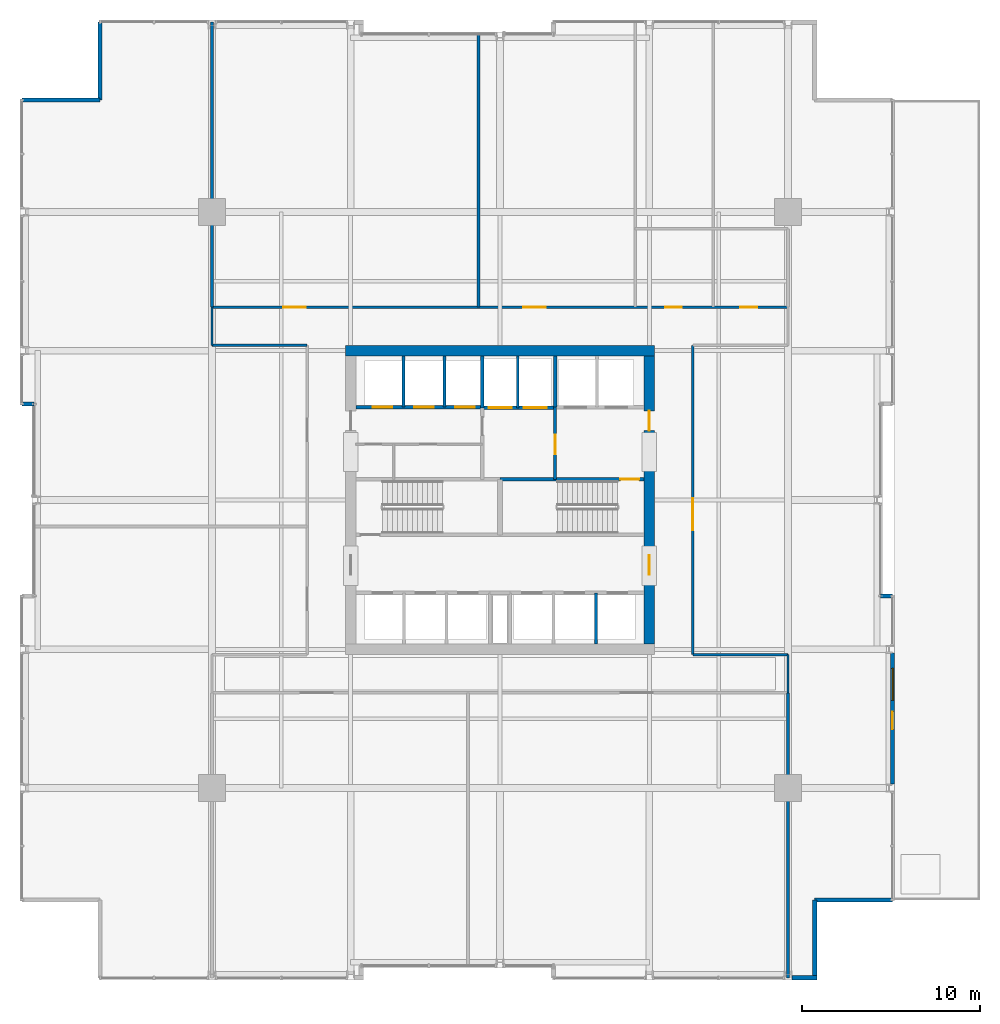
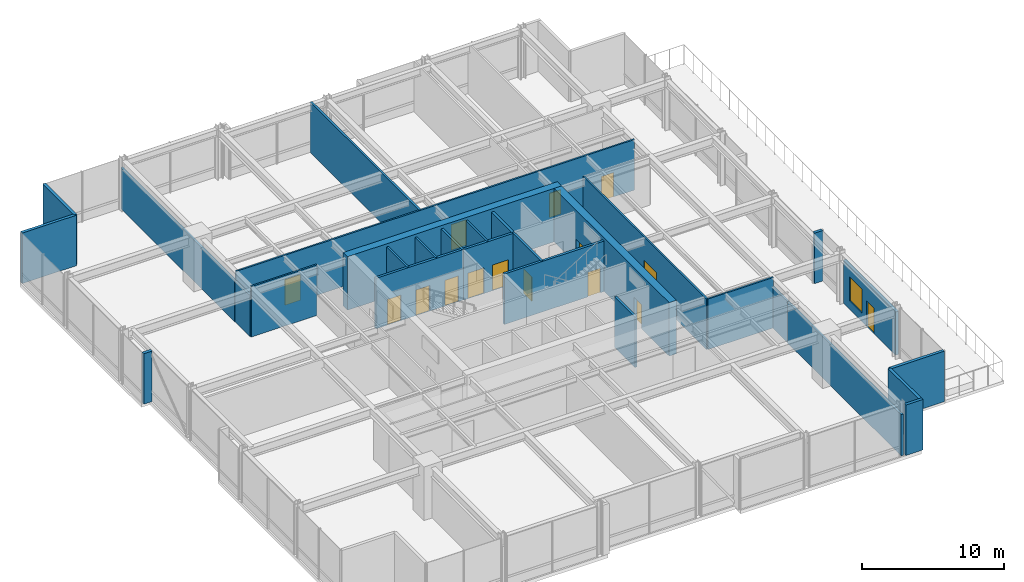
# One storey, part 29 of 33: 29 walls, 15 doors, 1 window, 16 openings.
"""IFC4 building model written with IfcOpenShell, lengths in metres."""

import ifcopenshell
import ifcopenshell.guid

model = None  # the IFC model being written
_history = None  # IfcOwnerHistory: only IFC2X3 demands one
_inside = {}  # id of a spatial element -> (the spatial element, [elements in it])
_under = {}  # id of a project, library or spatial element -> (it, [spatial elements below it])
_declared = {}  # id of a project -> (the project, [libraries it declares])
_typed = {}  # id of a type object -> (the type object, [elements of that type])
_made_of = {}  # id of a material, layer set ... -> (it, [elements and type objects made of it])


def new_model(schema):
    """Start an empty IFC model of exactly this schema.

    Asked for "IFC4X3", IfcOpenShell would pick the latest addendum, in which some entities
    have other attributes; the version numbers below select the first issue.
    IFC2X3 requires an IfcOwnerHistory on every rooted entity: one is made here for all.
    """
    global model, _history
    if schema == "IFC4X3":
        model = ifcopenshell.file(schema_version=(4, 3, 0, 0))
    else:
        model = ifcopenshell.file(schema=schema)
    _inside.clear()
    _under.clear()
    _declared.clear()
    _typed.clear()
    _made_of.clear()
    _history = None
    if model.schema == "IFC2X3":
        org = make("IfcOrganization", Name="unknown")
        user = make(
            "IfcPersonAndOrganization",
            ThePerson=make("IfcPerson", FamilyName="unknown"),
            TheOrganization=org,
        )
        app = make(
            "IfcApplication",
            ApplicationDeveloper=org,
            Version="unknown",
            ApplicationFullName="unknown",
            ApplicationIdentifier="unknown",
        )
        _history = make(
            "IfcOwnerHistory",
            OwningUser=user,
            OwningApplication=app,
            ChangeAction="ADDED",
            CreationDate=0,
        )
    return model


def make(cls, **values):
    """One entity of the class cls with the attributes given. An attribute that is None is left unset."""
    return model.create_entity(
        cls, **{name: value for name, value in values.items() if value is not None}
    )


def rooted(cls, **values):
    """An entity with a GlobalId (a new one), such as an element, a storey or a relation."""
    return make(cls, GlobalId=ifcopenshell.guid.new(), OwnerHistory=_history, **values)


def si_unit(unit_type, name, prefix=None):
    """IfcSIUnit, for example si_unit("LENGTHUNIT", "METRE", prefix="MILLI")."""
    return make("IfcSIUnit", UnitType=unit_type, Prefix=prefix, Name=name)


def assignment(units):
    """IfcUnitAssignment: the units of a project."""
    return None if units is None else make("IfcUnitAssignment", Units=units)


def point(xyz):
    """IfcCartesianPoint."""
    return None if xyz is None else make("IfcCartesianPoint", Coordinates=xyz)


def direction(xyz):
    """IfcDirection."""
    return None if xyz is None else make("IfcDirection", DirectionRatios=xyz)


def frame(location, z_axis=None, x_axis=None):
    """IfcAxis2Placement3D, a coordinate frame: its origin and axes. An axis left out is left unset."""
    return make(
        "IfcAxis2Placement3D",
        Location=point(location),
        Axis=direction(z_axis),
        RefDirection=direction(x_axis),
    )


def frame_2d(location, x_axis=None):
    """IfcAxis2Placement2D, a coordinate frame in the plane: its origin and x axis."""
    return make(
        "IfcAxis2Placement2D", Location=point(location), RefDirection=direction(x_axis)
    )


def origin():
    """The frame at (0, 0, 0) with its axes left unset."""
    return frame((0.0, 0.0, 0.0))


def place(relative_to, where):
    """IfcLocalPlacement: puts the frame where relative to a parent placement (None: the world)."""
    return make(
        "IfcLocalPlacement", PlacementRelTo=relative_to, RelativePlacement=where
    )


def context(
    kind, dimensions, precision=None, world=None, true_north=None, identifier=None
):
    """IfcGeometricRepresentationContext, for example the 3D "Model" context."""
    return make(
        "IfcGeometricRepresentationContext",
        ContextIdentifier=identifier,
        ContextType=kind,
        CoordinateSpaceDimension=dimensions,
        Precision=precision,
        WorldCoordinateSystem=world,
        TrueNorth=true_north,
    )


def subcontext(parent, identifier, kind, view, scale=None):
    """IfcGeometricRepresentationSubContext, for example "Body" below "Model"."""
    return make(
        "IfcGeometricRepresentationSubContext",
        ContextIdentifier=identifier,
        ContextType=kind,
        ParentContext=parent,
        TargetScale=scale,
        TargetView=view,
    )


def project(units=None, contexts=None):
    """IfcProject with its units and contexts."""
    return rooted(
        "IfcProject",
        Name="project",
        RepresentationContexts=contexts,
        UnitsInContext=assignment(units),
    )


def spatial(cls, under=None, at=None, **own):
    """A site, building, storey or space (cls), placed at a placement, below another one or the project."""
    s = rooted(cls, ObjectPlacement=at, **own)
    if under is not None:
        _under.setdefault(under.id(), (under, []))[1].append(s)
    return s


def profile(cls, at=None, kind="AREA", **sizes):
    """A parametric profile (cls). Its sizes go by their IFC names, for example OverallWidth=200.0."""
    return make(cls, ProfileType=kind, Position=at, **sizes)


def rectangle(**sizes):
    """IfcRectangleProfileDef."""
    return profile("IfcRectangleProfileDef", **sizes)


def extrude(swept, where, along, depth):
    """IfcExtrudedAreaSolid: the profile swept, set in the frame where, extruded along a direction by depth."""
    return make(
        "IfcExtrudedAreaSolid",
        SweptArea=swept,
        Position=where,
        ExtrudedDirection=direction(along),
        Depth=depth,
    )


def shape(context_of_items, identifier, shape_type, items):
    """IfcShapeRepresentation: the items that make up one representation, for example the "Body"."""
    return make(
        "IfcShapeRepresentation",
        ContextOfItems=context_of_items,
        RepresentationIdentifier=identifier,
        RepresentationType=shape_type,
        Items=items,
    )


def material(Name=None, Category=None):
    """IfcMaterial."""
    return make("IfcMaterial", Name=Name, Category=Category)


def layer(
    of_material, thickness, ventilated=None, Name=None, Category=None, Priority=None
):
    """IfcMaterialLayer: one layer of a wall or slab, of a material (None: an air gap)."""
    return make(
        "IfcMaterialLayer",
        Material=of_material,
        LayerThickness=thickness,
        IsVentilated=ventilated,
        Name=Name,
        Category=Category,
        Priority=Priority,
    )


def layer_set(layers, Name=None):
    """IfcMaterialLayerSet."""
    return make("IfcMaterialLayerSet", MaterialLayers=layers, LayerSetName=Name)


def made_of(thing, what):
    """Note that an element or type object is made of a material, layer set ...; save() writes the relation."""
    if what is not None:
        _made_of.setdefault(what.id(), (what, []))[1].append(thing)
    return thing


def type_object(cls, material=None, **own):
    """A type object (cls), such as IfcWallType, which elements share."""
    return made_of(rooted(cls, **own), material)


def element(
    cls,
    number,
    at=None,
    inside=None,
    cuts=None,
    type_object=None,
    material=None,
    context=None,
    identifier="Body",
    shape_type=None,
    held_by="IfcProductDefinitionShape",
    body=None,
    shapes=None,
    **own,
):
    """One element of the class cls, such as IfcWall. Its Tag is "e" and its number.

    at: its placement. inside: the storey or other place that contains it. cuts: it is an
    opening in that element (IfcRelVoidsElement). A single representation is given by context,
    identifier, shape_type and body (its items); several are given by shapes. held_by: the class
    of the entity that holds the representations. save() writes the other relations.
    """
    e = rooted(cls, Tag="e%d" % number, ObjectPlacement=at, **own)
    if body is not None:
        shapes = [shape(context, identifier, shape_type, body)]
    if shapes is not None:
        e.Representation = make(held_by, Representations=shapes)
    if inside is not None:
        _inside.setdefault(inside.id(), (inside, []))[1].append(e)
    if cuts is not None:
        rooted(
            "IfcRelVoidsElement", RelatingBuildingElement=cuts, RelatedOpeningElement=e
        )
    if type_object is not None:
        _typed.setdefault(type_object.id(), (type_object, []))[1].append(e)
    return made_of(e, material)


def fill(opening, filler):
    """IfcRelFillsElement: the door or window that sits in an opening."""
    return rooted(
        "IfcRelFillsElement",
        RelatingOpeningElement=opening,
        RelatedBuildingElement=filler,
    )


def aggregate(whole, parts):
    """IfcRelAggregates: a whole, such as a stair, and the parts it consists of."""
    return rooted("IfcRelAggregates", RelatingObject=whole, RelatedObjects=parts)


def save(model, path):
    """Write the relations noted so far, then the file.

    IfcRelAggregates (storeys below a building ...), IfcRelContainedInSpatialStructure (elements
    in a storey), IfcRelDefinesByType, IfcRelAssociatesMaterial and IfcRelDeclares: one each for
    every whole, place, type object, material and project.
    """
    for whole, parts in _under.values():
        aggregate(whole, parts)
    for where, things in _inside.values():
        rooted(
            "IfcRelContainedInSpatialStructure",
            RelatedElements=things,
            RelatingStructure=where,
        )
    for kind, things in _typed.values():
        rooted("IfcRelDefinesByType", RelatedObjects=things, RelatingType=kind)
    for what, things in _made_of.values():
        rooted("IfcRelAssociatesMaterial", RelatedObjects=things, RelatingMaterial=what)
    for by, libraries in _declared.values():
        rooted("IfcRelDeclares", RelatingContext=by, RelatedDefinitions=libraries)
    model.write(path)


model = new_model("IFC4")

# Units and contexts
model_context = context("Model", 3, precision=1e-05, world=origin(), true_north=direction((0.0, 1.0)))
body_context = subcontext(model_context, "Body", "Model", "MODEL_VIEW")
ifc_project = project(units=[si_unit("LENGTHUNIT", "METRE"), si_unit("AREAUNIT", "SQUARE_METRE"), si_unit("VOLUMEUNIT", "CUBIC_METRE"), si_unit("PLANEANGLEUNIT", "RADIAN"), si_unit("MASSUNIT", "GRAM", prefix="KILO")], contexts=[model_context])

# Site, building, storey
site_placement = place(None, origin())
site = spatial("IfcSite", under=ifc_project, at=site_placement, CompositionType="ELEMENT")
building_placement = place(site_placement, origin())
building = spatial("IfcBuilding", under=site, at=building_placement, Name="Drelvath Grand Hotel", CompositionType="ELEMENT")
storey_placement = place(building_placement, frame((0.0, 0.0, 87.199951171875)))
storey = spatial("IfcBuildingStorey", under=building, at=storey_placement, Name="L21", CompositionType="ELEMENT", Elevation=87.199951171875)

# Wall
ifc_material_1 = material(Name="Concrete C40/50", Category="concrete")
ifc_layer_1 = layer(ifc_material_1, 0.199951171875)
ifc_layer_set_1 = layer_set([ifc_layer_1], Name="Concrete C40/50")
wall_type_1 = type_object("IfcWallType", Name="Core Hoistway Fire Wall 200", PredefinedType="SOLIDWALL", material=ifc_layer_set_1)
wall_1_placement = place(storey_placement, frame((3.10009765625, 32.219970703125, 0.0), z_axis=(0.0, 0.0, 1.0), x_axis=(0.0, 1.0, 0.0)))
element("IfcWall", 1, at=wall_1_placement, inside=storey, type_object=wall_type_1, Name="L21 FSAE Hoistway West Wall", PredefinedType="SOLIDWALL", context=body_context, shape_type="SweptSolid", body=[
    extrude(rectangle(XDim=2.880126953125, YDim=0.199951171875, at=frame_2d((1.43994140625, 0.0))), origin(), (0.0, 0.0, 1.0), 4.340087890625),
])

# Wall, openings, doors
wall_2_placement = place(storey_placement, frame((-1.0, 32.179931640625, 0.0), z_axis=(0.0, 0.0, 1.0), x_axis=(1.0, 0.0, 0.0)))
wall_2 = element("IfcWall", 2, at=wall_2_placement, inside=storey, type_object=wall_type_1, Name="L21 Service Lift Hoistway Wall", PredefinedType="SOLIDWALL", context=body_context, shape_type="SweptSolid", body=[
    extrude(rectangle(XDim=4.10009765625, YDim=0.199951171875, at=frame_2d((2.050048828125, 0.0))), origin(), (0.0, 0.0, 1.0), 4.340087890625),
])
opening_1_placement = place(wall_2_placement, frame((0.3701171875, 0.0, 0.0)))
opening_1 = element("IfcOpeningElement", 3, at=opening_1_placement, cuts=wall_2, Name="Opening LD-SV-2", PredefinedType="OPENING", context=body_context, shape_type="SweptSolid", body=[
    extrude(rectangle(XDim=1.300048828125, YDim=2.199951171875, at=frame_2d((0.64990234375, 1.10009765625))), frame((0.0, 0.10986328125, 0.0), z_axis=(0.0, -1.0, 0.0), x_axis=(1.0, 0.0, 0.0)), (0.0, 0.0, 1.0), 0.219970703125),
])
opening_2_placement = place(wall_2_placement, frame((2.330078125, 0.0, 0.0)))
opening_2 = element("IfcOpeningElement", 4, at=opening_2_placement, cuts=wall_2, Name="Opening LD-SV-1", PredefinedType="OPENING", context=body_context, shape_type="SweptSolid", body=[
    extrude(rectangle(XDim=1.300048828125, YDim=2.199951171875, at=frame_2d((0.64990234375, 1.10009765625))), frame((0.0, 0.10986328125, 0.0), z_axis=(0.0, -1.0, 0.0), x_axis=(1.0, 0.0, 0.0)), (0.0, 0.0, 1.0), 0.219970703125),
])
ifc_material_2 = material(Name="Stainless Steel S355", Category="steel")
door_type_1 = type_object("IfcDoorType", Name="Service Lift Sliding Landing Door 1300x2200", OperationType="NOTDEFINED", PredefinedType="DOOR", material=ifc_material_2)
door_1_placement = place(opening_1_placement, origin())
door_1 = element("IfcDoor", 5, at=door_1_placement, inside=storey, type_object=door_type_1, Name="L21 Lift SV-2 Landing Door", OperationType="SLIDING_TO_LEFT", OverallHeight=2.199951171875, OverallWidth=1.300048828125, PredefinedType="DOOR", context=body_context, shape_type="SweptSolid", body=[
    extrude(rectangle(XDim=1.300048828125, YDim=2.199951171875, at=frame_2d((0.64990234375, 1.10009765625))), frame((0.0, 0.02490234375, 0.0), z_axis=(0.0, -1.0, 0.0), x_axis=(1.0, 0.0, 0.0)), (0.0, 0.0, 1.0), 0.050048828125),
])
fill(opening_1, door_1)
door_2_placement = place(opening_2_placement, origin())
door_2 = element("IfcDoor", 6, at=door_2_placement, inside=storey, type_object=door_type_1, Name="L21 Lift SV-1 Landing Door", OperationType="SLIDING_TO_LEFT", OverallHeight=2.199951171875, OverallWidth=1.300048828125, PredefinedType="DOOR", context=body_context, shape_type="SweptSolid", body=[
    extrude(rectangle(XDim=1.300048828125, YDim=2.199951171875, at=frame_2d((0.64990234375, 1.10009765625))), frame((0.0, 0.02490234375, 0.0), z_axis=(0.0, -1.0, 0.0), x_axis=(1.0, 0.0, 0.0)), (0.0, 0.0, 1.0), 0.050048828125),
])
fill(opening_2, door_2)

# Wall
wall_3_placement = place(storey_placement, frame((-1.0, 32.179931640625, 0.0), z_axis=(0.0, 0.0, 1.0), x_axis=(0.0, 1.0, 0.0)))
element("IfcWall", 7, at=wall_3_placement, inside=storey, type_object=wall_type_1, Name="L21 Service Lift West Wall", PredefinedType="SOLIDWALL", context=body_context, shape_type="SweptSolid", body=[
    extrude(rectangle(XDim=2.920166015625, YDim=0.199951171875, at=frame_2d((1.4599609375, 0.0))), origin(), (0.0, 0.0, 1.0), 4.340087890625),
])

# Wall, openings, doors
wall_4_placement = place(storey_placement, frame((-8.10009765625, 32.219970703125, 0.0), z_axis=(0.0, 0.0, 1.0), x_axis=(1.0, 0.0, 0.0)))
wall_4 = element("IfcWall", 8, at=wall_4_placement, inside=storey, type_object=wall_type_1, Name="L21 Bank 3 Hoistway Wall", PredefinedType="SOLIDWALL", context=body_context, shape_type="SweptSolid", body=[
    extrude(rectangle(XDim=7.10009765625, YDim=0.199951171875, at=frame_2d((3.550048828125, 0.0))), origin(), (0.0, 0.0, 1.0), 4.340087890625),
])
opening_3_placement = place(wall_4_placement, frame((0.949951171875, 0.0, 0.0)))
opening_3 = element("IfcOpeningElement", 9, at=opening_3_placement, cuts=wall_4, Name="Opening LD-PE-7", PredefinedType="OPENING", context=body_context, shape_type="SweptSolid", body=[
    extrude(rectangle(XDim=1.10009765625, YDim=2.199951171875, at=frame_2d((0.550048828125, 1.10009765625))), frame((0.0, 0.10986328125, 0.0), z_axis=(0.0, -1.0, 0.0), x_axis=(1.0, 0.0, 0.0)), (0.0, 0.0, 1.0), 0.219970703125),
])
opening_4_placement = place(wall_4_placement, frame((3.27001953125, 0.0, 0.0)))
opening_4 = element("IfcOpeningElement", 10, at=opening_4_placement, cuts=wall_4, Name="Opening LD-PE-8", PredefinedType="OPENING", context=body_context, shape_type="SweptSolid", body=[
    extrude(rectangle(XDim=1.10009765625, YDim=2.199951171875, at=frame_2d((0.550048828125, 1.10009765625))), frame((0.0, 0.10986328125, 0.0), z_axis=(0.0, -1.0, 0.0), x_axis=(1.0, 0.0, 0.0)), (0.0, 0.0, 1.0), 0.219970703125),
])
opening_5_placement = place(wall_4_placement, frame((5.590087890625, 0.0, 0.0)))
opening_5 = element("IfcOpeningElement", 11, at=opening_5_placement, cuts=wall_4, Name="Opening LD-PE-9", PredefinedType="OPENING", context=body_context, shape_type="SweptSolid", body=[
    extrude(rectangle(XDim=1.10009765625, YDim=2.199951171875, at=frame_2d((0.550048828125, 1.10009765625))), frame((0.0, 0.10986328125, 0.0), z_axis=(0.0, -1.0, 0.0), x_axis=(1.0, 0.0, 0.0)), (0.0, 0.0, 1.0), 0.219970703125),
])
door_type_2 = type_object("IfcDoorType", Name="Passenger Lift Sliding Landing Door 1100x2200", OperationType="NOTDEFINED", PredefinedType="DOOR", material=ifc_material_2)
door_3_placement = place(opening_3_placement, origin())
door_3 = element("IfcDoor", 12, at=door_3_placement, inside=storey, type_object=door_type_2, Name="L21 Lift PE-7 Landing Door", OperationType="SLIDING_TO_LEFT", OverallHeight=2.199951171875, OverallWidth=1.10009765625, PredefinedType="DOOR", context=body_context, shape_type="SweptSolid", body=[
    extrude(rectangle(XDim=1.10009765625, YDim=2.199951171875, at=frame_2d((0.550048828125, 1.10009765625))), frame((0.0, 0.02490234375, 0.0), z_axis=(0.0, -1.0, 0.0), x_axis=(1.0, 0.0, 0.0)), (0.0, 0.0, 1.0), 0.050048828125),
])
fill(opening_3, door_3)
door_4_placement = place(opening_4_placement, origin())
door_4 = element("IfcDoor", 13, at=door_4_placement, inside=storey, type_object=door_type_2, Name="L21 Lift PE-8 Landing Door", OperationType="SLIDING_TO_LEFT", OverallHeight=2.199951171875, OverallWidth=1.10009765625, PredefinedType="DOOR", context=body_context, shape_type="SweptSolid", body=[
    extrude(rectangle(XDim=1.10009765625, YDim=2.199951171875, at=frame_2d((0.550048828125, 1.10009765625))), frame((0.0, 0.02490234375, 0.0), z_axis=(0.0, -1.0, 0.0), x_axis=(1.0, 0.0, 0.0)), (0.0, 0.0, 1.0), 0.050048828125),
])
fill(opening_4, door_4)
door_5_placement = place(opening_5_placement, origin())
door_5 = element("IfcDoor", 14, at=door_5_placement, inside=storey, type_object=door_type_2, Name="L21 Lift PE-9 Landing Door", OperationType="SLIDING_TO_LEFT", OverallHeight=2.199951171875, OverallWidth=1.10009765625, PredefinedType="DOOR", context=body_context, shape_type="SweptSolid", body=[
    extrude(rectangle(XDim=1.10009765625, YDim=2.199951171875, at=frame_2d((0.550048828125, 1.10009765625))), frame((0.0, 0.02490234375, 0.0), z_axis=(0.0, -1.0, 0.0), x_axis=(1.0, 0.0, 0.0)), (0.0, 0.0, 1.0), 0.050048828125),
])
fill(opening_5, door_5)

# Wall, opening, door
ifc_layer_2 = layer(ifc_material_1, 0.199951171875)
ifc_layer_set_2 = layer_set([ifc_layer_2], Name="Concrete C40/50")
wall_type_2 = type_object("IfcWallType", Name="Core Shaft Fire Wall 200", PredefinedType="SOLIDWALL", material=ifc_layer_set_2)
wall_5_placement = place(storey_placement, frame((8.10009765625, 28.159912109375, 0.0), z_axis=(0.0, 0.0, 1.0), x_axis=(-1.0, 0.0, 0.0)))
wall_5 = element("IfcWall", 15, at=wall_5_placement, inside=storey, type_object=wall_type_2, Name="L21 Stair ST-2 North Wall", PredefinedType="SOLIDWALL", context=body_context, shape_type="SweptSolid", body=[
    extrude(rectangle(XDim=8.10009765625, YDim=0.199951171875, at=frame_2d((4.050048828125, 0.0))), origin(), (0.0, 0.0, 1.0), 4.340087890625),
])
opening_6_placement = place(wall_5_placement, frame((0.280029296875, 0.0, 0.0)))
opening_6 = element("IfcOpeningElement", 16, at=opening_6_placement, cuts=wall_5, Name="Opening D-L21-002", PredefinedType="OPENING", context=body_context, shape_type="SweptSolid", body=[
    extrude(rectangle(XDim=1.050048828125, YDim=2.10009765625, at=frame_2d((0.52490234375, 1.050048828125))), frame((0.0, 0.10986328125, 0.0), z_axis=(0.0, -1.0, 0.0), x_axis=(1.0, 0.0, 0.0)), (0.0, 0.0, 1.0), 0.219970703125),
])
ifc_material_3 = material(Name="Painted Steel S275", Category="steel")
door_type_3 = type_object("IfcDoorType", Name="Tower Stairwell Fire Door 1050x2100", OperationType="NOTDEFINED", PredefinedType="DOOR", material=ifc_material_3)
door_6_placement = place(opening_6_placement, origin())
door_6 = element("IfcDoor", 17, at=door_6_placement, inside=storey, type_object=door_type_3, Name="L21 Exit Stair ST-2 Door", OperationType="SINGLE_SWING_LEFT", OverallHeight=2.10009765625, OverallWidth=1.050048828125, PredefinedType="DOOR", context=body_context, shape_type="SweptSolid", body=[
    extrude(rectangle(XDim=1.050048828125, YDim=2.10009765625, at=frame_2d((0.52490234375, 1.050048828125))), frame((0.0, 0.02490234375, 0.0), z_axis=(0.0, -1.0, 0.0), x_axis=(1.0, 0.0, 0.0)), (0.0, 0.0, 1.0), 0.050048828125),
])
fill(opening_6, door_6)

# Walls
ifc_material_4 = material(Name="Gypsum Fireboard Partition")
ifc_layer_3 = layer(ifc_material_4, 0.1650390625)
ifc_layer_set_3 = layer_set([ifc_layer_3], Name="Gypsum Fireboard Partition")
wall_type_3 = type_object("IfcWallType", Name="Core Shaft Partition 165", PredefinedType="PARTITIONING", material=ifc_layer_set_3)
wall_6_placement = place(storey_placement, frame((1.0, 32.179931640625, 0.0), z_axis=(0.0, 0.0, 1.0), x_axis=(0.0, 1.0, 0.0)))
element("IfcWall", 18, at=wall_6_placement, inside=storey, type_object=wall_type_3, Name="L21 Service Lift Divider", PredefinedType="PARTITIONING", context=body_context, shape_type="SweptSolid", body=[
    extrude(rectangle(XDim=2.920166015625, YDim=0.1650390625, at=frame_2d((1.4599609375, 0.0))), origin(), (0.0, 0.0, 1.0), 4.340087890625),
])
for number, where, z_axis, x_axis, name in (
    (19, (-5.43994140625, 32.219970703125, 0.0), (0.0, 0.0, 1.0), (0.0, 1.0, 0.0), "L21 Lift PE-7/8 Divider"),
    (20, (-3.1201171875, 32.219970703125, 0.0), (0.0, 0.0, 1.0), (0.0, 1.0, 0.0), "L21 Lift PE-8/9 Divider"),
    (21, (5.39990234375, 18.89990234375, 0.0), (0.0, 0.0, 1.0), (0.0, 1.0, 0.0), "L21 Lift PE-5/6 Divider"),
):
    element("IfcWall", number, at=place(storey_placement, frame(where, z_axis=z_axis, x_axis=x_axis)), inside=storey, type_object=wall_type_3, Name=name, PredefinedType="PARTITIONING", context=body_context, shape_type="SweptSolid", body=[
        extrude(rectangle(XDim=2.880126953125, YDim=0.1650390625, at=frame_2d((1.43994140625, 0.0))), origin(), (0.0, 0.0, 1.0), 4.340087890625),
    ])

# Wall, openings, doors
ifc_layer_4 = layer(ifc_material_4, 0.135009765625)
ifc_layer_set_4 = layer_set([ifc_layer_4], Name="Gypsum Fireboard Partition")
wall_type_4 = type_object("IfcWallType", Name="Corridor Fire Barrier Wall 135", PredefinedType="PARTITIONING", material=ifc_layer_set_4)
wall_7_placement = place(storey_placement, frame((-16.199951171875, 37.85009765625, 0.0), z_axis=(0.0, 0.0, 1.0), x_axis=(1.0, 0.0, 0.0)))
wall_7 = element("IfcWall", 22, at=wall_7_placement, inside=storey, type_object=wall_type_4, Name="L21 Sky North Foyer Wall", PredefinedType="PARTITIONING", context=body_context, shape_type="SweptSolid", body=[
    extrude(rectangle(XDim=32.39990234375, YDim=0.135009765625, at=frame_2d((16.199951171875, 0.0))), origin(), (0.0, 0.0, 1.0), 4.340087890625),
])
opening_7_placement = place(wall_7_placement, frame((4.0, 0.0, 0.0)))
opening_7 = element("IfcOpeningElement", 23, at=opening_7_placement, cuts=wall_7, Name="Opening D-L21-026", PredefinedType="OPENING", context=body_context, shape_type="SweptSolid", body=[
    extrude(rectangle(XDim=1.260009765625, YDim=2.199951171875, at=frame_2d((0.6298828125, 1.10009765625))), frame((0.0, 0.077392578125, 0.0), z_axis=(0.0, -1.0, 0.0), x_axis=(1.0, 0.0, 0.0)), (0.0, 0.0, 1.0), 0.155029296875),
])
opening_8_placement = place(wall_7_placement, frame((17.5, 0.0, 0.0)))
opening_8 = element("IfcOpeningElement", 24, at=opening_8_placement, cuts=wall_7, Name="Opening D-L21-027", PredefinedType="OPENING", context=body_context, shape_type="SweptSolid", body=[
    extrude(rectangle(XDim=1.260009765625, YDim=2.199951171875, at=frame_2d((0.6298828125, 1.10009765625))), frame((0.0, 0.077392578125, 0.0), z_axis=(0.0, -1.0, 0.0), x_axis=(1.0, 0.0, 0.0)), (0.0, 0.0, 1.0), 0.155029296875),
])
opening_9_placement = place(wall_7_placement, frame((25.5, 0.0, 0.0)))
opening_9 = element("IfcOpeningElement", 25, at=opening_9_placement, cuts=wall_7, Name="Opening D-L21-028", PredefinedType="OPENING", context=body_context, shape_type="SweptSolid", body=[
    extrude(rectangle(XDim=0.919921875, YDim=2.10009765625, at=frame_2d((0.4599609375, 1.050048828125))), frame((0.0, 0.077392578125, 0.0), z_axis=(0.0, -1.0, 0.0), x_axis=(1.0, 0.0, 0.0)), (0.0, 0.0, 1.0), 0.155029296875),
])
opening_10_placement = place(wall_7_placement, frame((29.699951171875, 0.0, 0.0)))
opening_10 = element("IfcOpeningElement", 26, at=opening_10_placement, cuts=wall_7, Name="Opening D-L21-029", PredefinedType="OPENING", context=body_context, shape_type="SweptSolid", body=[
    extrude(rectangle(XDim=0.97998046875, YDim=2.10009765625, at=frame_2d((0.489990234375, 1.050048828125))), frame((0.0, 0.077392578125, 0.0), z_axis=(0.0, -1.0, 0.0), x_axis=(1.0, 0.0, 0.0)), (0.0, 0.0, 1.0), 0.155029296875),
])
ifc_material_5 = material(Name="Hardwood Walnut Timber", Category="wood")
door_type_4 = type_object("IfcDoorType", Name="Accessible WC Door 980x2100", OperationType="NOTDEFINED", PredefinedType="DOOR", material=ifc_material_5)
door_7_placement = place(opening_10_placement, origin())
door_7 = element("IfcDoor", 27, at=door_7_placement, inside=storey, type_object=door_type_4, Name="L21 Sky Accessible WC Door", OperationType="SINGLE_SWING_RIGHT", OverallHeight=2.10009765625, OverallWidth=0.97998046875, PredefinedType="DOOR", context=body_context, shape_type="SweptSolid", body=[
    extrude(rectangle(XDim=0.97998046875, YDim=2.10009765625, at=frame_2d((0.489990234375, 1.050048828125))), frame((0.0, 0.02490234375, 0.0), z_axis=(0.0, -1.0, 0.0), x_axis=(1.0, 0.0, 0.0)), (0.0, 0.0, 1.0), 0.050048828125),
])
fill(opening_10, door_7)
door_type_5 = type_object("IfcDoorType", Name="Staff Utility Door 920x2100", OperationType="NOTDEFINED", PredefinedType="DOOR", material=ifc_material_3)
door_8_placement = place(opening_9_placement, origin())
door_8 = element("IfcDoor", 28, at=door_8_placement, inside=storey, type_object=door_type_5, Name="L21 Sky Public WC Door", OperationType="SINGLE_SWING_LEFT", OverallHeight=2.10009765625, OverallWidth=0.919921875, PredefinedType="DOOR", context=body_context, shape_type="SweptSolid", body=[
    extrude(rectangle(XDim=0.919921875, YDim=2.10009765625, at=frame_2d((0.4599609375, 1.050048828125))), frame((0.0, 0.02490234375, 0.0), z_axis=(0.0, -1.0, 0.0), x_axis=(1.0, 0.0, 0.0)), (0.0, 0.0, 1.0), 0.050048828125),
])
fill(opening_9, door_8)
door_type_6 = type_object("IfcDoorType", Name="Suite Entrance Fire Door 1260x2200", OperationType="NOTDEFINED", PredefinedType="DOOR", material=ifc_material_5)
door_9_placement = place(opening_7_placement, origin())
door_9 = element("IfcDoor", 29, at=door_9_placement, inside=storey, type_object=door_type_6, Name="L21 Sky Concierge Lounge Door", OperationType="SINGLE_SWING_LEFT", OverallHeight=2.199951171875, OverallWidth=1.260009765625, PredefinedType="DOOR", context=body_context, shape_type="SweptSolid", body=[
    extrude(rectangle(XDim=1.260009765625, YDim=2.199951171875, at=frame_2d((0.6298828125, 1.10009765625))), frame((0.0, 0.02490234375, 0.0), z_axis=(0.0, -1.0, 0.0), x_axis=(1.0, 0.0, 0.0)), (0.0, 0.0, 1.0), 0.050048828125),
])
fill(opening_7, door_9)
door_10_placement = place(opening_8_placement, origin())
door_10 = element("IfcDoor", 30, at=door_10_placement, inside=storey, type_object=door_type_6, Name="L21 Executive Transfer Boardroom Door", OperationType="SINGLE_SWING_RIGHT", OverallHeight=2.199951171875, OverallWidth=1.260009765625, PredefinedType="DOOR", context=body_context, shape_type="SweptSolid", body=[
    extrude(rectangle(XDim=1.260009765625, YDim=2.199951171875, at=frame_2d((0.6298828125, 1.10009765625))), frame((0.0, 0.02490234375, 0.0), z_axis=(0.0, -1.0, 0.0), x_axis=(1.0, 0.0, 0.0)), (0.0, 0.0, 1.0), 0.050048828125),
])
fill(opening_8, door_10)

# Walls
for number, where, z_axis, x_axis, name in (
    (31, (10.85009765625, 18.300048828125, 0.0), (0.0, 0.0, 1.0), (1.0, 0.0, 0.0), "L21 Sky SE Spur Inner Wall"),
    (32, (-16.199951171875, 35.699951171875, 0.0), (0.0, 0.0, 1.0), (1.0, 0.0, 0.0), "L21 Sky NW Spur Inner Wall"),
):
    element("IfcWall", number, at=place(storey_placement, frame(where, z_axis=z_axis, x_axis=x_axis)), inside=storey, type_object=wall_type_4, Name=name, PredefinedType="PARTITIONING", context=body_context, shape_type="SweptSolid", body=[
        extrude(rectangle(XDim=5.349853515625, YDim=0.135009765625, at=frame_2d((2.6748046875, 0.0))), origin(), (0.0, 0.0, 1.0), 4.340087890625),
    ])

# Wall, opening, door
wall_8_placement = place(storey_placement, frame((10.85009765625, 18.300048828125, 0.0), z_axis=(0.0, 0.0, 1.0), x_axis=(0.0, 1.0, 0.0)))
wall_8 = element("IfcWall", 33, at=wall_8_placement, inside=storey, type_object=wall_type_4, Name="L21 Sky East Foyer Wall", PredefinedType="PARTITIONING", context=body_context, shape_type="SweptSolid", body=[
    extrude(rectangle(XDim=17.39990234375, YDim=0.135009765625, at=frame_2d((8.699951171875, 0.0))), origin(), (0.0, 0.0, 1.0), 4.340087890625),
])
opening_11_placement = place(wall_8_placement, frame((7.0, 0.0, 0.0)))
opening_11 = element("IfcOpeningElement", 34, at=opening_11_placement, cuts=wall_8, Name="Opening D-L21-032", PredefinedType="OPENING", context=body_context, shape_type="SweptSolid", body=[
    extrude(rectangle(XDim=1.800048828125, YDim=2.35009765625, at=frame_2d((0.89990234375, 1.175048828125))), frame((0.0, 0.077392578125, 0.0), z_axis=(0.0, -1.0, 0.0), x_axis=(1.0, 0.0, 0.0)), (0.0, 0.0, 1.0), 0.155029296875),
])
ifc_material_6 = material(Name="Hardwood Bronze-Clad Timber", Category="wood")
door_type_7 = type_object("IfcDoorType", Name="Assembly Double Fire Door 1800x2350", OperationType="NOTDEFINED", PredefinedType="DOOR", material=ifc_material_6)
door_11_placement = place(opening_11_placement, origin())
door_11 = element("IfcDoor", 35, at=door_11_placement, inside=storey, type_object=door_type_7, Name="L21 East Panorama Lounge Door", OperationType="DOUBLE_DOOR_SINGLE_SWING", OverallHeight=2.35009765625, OverallWidth=1.800048828125, PredefinedType="DOOR", context=body_context, shape_type="SweptSolid", body=[
    extrude(rectangle(XDim=1.800048828125, YDim=2.35009765625, at=frame_2d((0.89990234375, 1.175048828125))), frame((0.0, 0.02490234375, 0.0), z_axis=(0.0, -1.0, 0.0), x_axis=(1.0, 0.0, 0.0)), (0.0, 0.0, 1.0), 0.050048828125),
])
fill(opening_11, door_11)

# Walls
for number, where, z_axis, x_axis, name in (
    (36, (16.199951171875, 16.14990234375, 0.0), (0.0, 0.0, 1.0), (0.0, 1.0, 0.0), "L21 Sky South Foyer East End"),
    (37, (-16.199951171875, 35.699951171875, 0.0), (0.0, 0.0, 1.0), (0.0, 1.0, 0.0), "L21 Sky North Foyer West End"),
):
    element("IfcWall", number, at=place(storey_placement, frame(where, z_axis=z_axis, x_axis=x_axis)), inside=storey, type_object=wall_type_4, Name=name, PredefinedType="PARTITIONING", context=body_context, shape_type="SweptSolid", body=[
        extrude(rectangle(XDim=2.150146484375, YDim=0.135009765625, at=frame_2d((1.0751953125, 0.0))), origin(), (0.0, 0.0, 1.0), 3.5517578125),
    ])

# Wall, opening, door
ifc_layer_5 = layer(ifc_material_4, 0.179931640625)
ifc_layer_set_5 = layer_set([ifc_layer_5], Name="Gypsum Fireboard Partition")
wall_type_5 = type_object("IfcWallType", Name="FSAE Smoke Lobby Fire Wall 180", PredefinedType="SOLIDWALL", material=ifc_layer_set_5)
wall_9_placement = place(storey_placement, frame((3.10009765625, 28.159912109375, 0.0), z_axis=(0.0, 0.0, 1.0), x_axis=(0.0, 1.0, 0.0)))
wall_9 = element("IfcWall", 38, at=wall_9_placement, inside=storey, type_object=wall_type_5, Name="L21 FSAE Smoke Lobby West Wall", PredefinedType="SOLIDWALL", context=body_context, shape_type="SweptSolid", body=[
    extrude(rectangle(XDim=4.06005859375, YDim=0.179931640625, at=frame_2d((2.030029296875, 0.0))), origin(), (0.0, 0.0, 1.0), 4.340087890625),
])
opening_12_placement = place(wall_9_placement, frame((1.39990234375, 0.0, 0.0)))
opening_12 = element("IfcOpeningElement", 39, at=opening_12_placement, cuts=wall_9, Name="Opening D-L21-005", PredefinedType="OPENING", context=body_context, shape_type="SweptSolid", body=[
    extrude(rectangle(XDim=1.1201171875, YDim=2.10009765625, at=frame_2d((0.56005859375, 1.050048828125))), frame((0.0, 0.099853515625, 0.0), z_axis=(0.0, -1.0, 0.0), x_axis=(1.0, 0.0, 0.0)), (0.0, 0.0, 1.0), 0.199951171875),
])
door_type_8 = type_object("IfcDoorType", Name="FSAE Smoke Lobby Fire Door 1120x2100", OperationType="NOTDEFINED", PredefinedType="DOOR", material=ifc_material_3)
door_12_placement = place(opening_12_placement, origin())
door_12 = element("IfcDoor", 40, at=door_12_placement, inside=storey, type_object=door_type_8, Name="L21 FSAE Lobby Service Vestibule Door", OperationType="SINGLE_SWING_RIGHT", OverallHeight=2.10009765625, OverallWidth=1.1201171875, PredefinedType="DOOR", context=body_context, shape_type="SweptSolid", body=[
    extrude(rectangle(XDim=1.1201171875, YDim=2.10009765625, at=frame_2d((0.56005859375, 1.050048828125))), frame((0.0, 0.02490234375, 0.0), z_axis=(0.0, -1.0, 0.0), x_axis=(1.0, 0.0, 0.0)), (0.0, 0.0, 1.0), 0.050048828125),
])
fill(opening_12, door_12)

# Wall
ifc_material_7 = material(Name="Concrete f'c 70 MPa", Category="concrete")
ifc_layer_6 = layer(ifc_material_7, 0.60009765625)
ifc_layer_set_6 = layer_set([ifc_layer_6], Name="Concrete f'c 70 MPa")
wall_type_6 = type_object("IfcWallType", Name="Lower Core RC Shear Wall 600", PredefinedType="SHEAR", material=ifc_layer_set_6)
wall_10_placement = place(storey_placement, frame((-8.699951171875, 35.39990234375, 0.0), z_axis=(0.0, 0.0, 1.0), x_axis=(1.0, 0.0, 0.0)))
element("IfcWall", 41, at=wall_10_placement, inside=storey, type_object=wall_type_6, Name="L21 Central Core Shear Wall N", PredefinedType="SHEAR", context=body_context, shape_type="SweptSolid", body=[
    extrude(rectangle(XDim=17.39990234375, YDim=0.60009765625, at=frame_2d((8.699951171875, 0.0))), origin(), (0.0, 0.0, 1.0), 4.60009765625),
])

# Wall, openings, doors
wall_11_placement = place(storey_placement, frame((8.39990234375, 35.10009765625, 0.0), z_axis=(0.0, 0.0, 1.0), x_axis=(0.0, -1.0, 0.0)))
wall_11 = element("IfcWall", 42, at=wall_11_placement, inside=storey, type_object=wall_type_6, Name="L21 Central Core Shear Wall E", PredefinedType="SHEAR", context=body_context, shape_type="SweptSolid", body=[
    extrude(rectangle(XDim=16.2001953125, YDim=0.60009765625, at=frame_2d((8.10009765625, 0.0))), origin(), (0.0, 0.0, 1.0), 4.60009765625),
])
opening_13_placement = place(wall_11_placement, frame((3.080078125, 0.0, 0.0)))
opening_13 = element("IfcOpeningElement", 43, at=opening_13_placement, cuts=wall_11, Name="Opening D-L21-006", PredefinedType="OPENING", context=body_context, shape_type="SweptSolid", body=[
    extrude(rectangle(XDim=1.1201171875, YDim=2.10009765625, at=frame_2d((0.56005859375, 1.050048828125))), frame((0.0, 0.31005859375, 0.0), z_axis=(0.0, -1.0, 0.0), x_axis=(1.0, 0.0, 0.0)), (0.0, 0.0, 1.0), 0.6201171875),
])
opening_14_placement = place(wall_11_placement, frame((11.219970703125, 0.0, 0.0)))
opening_14 = element("IfcOpeningElement", 44, at=opening_14_placement, cuts=wall_11, Name="Opening D-L21-023", PredefinedType="OPENING", context=body_context, shape_type="SweptSolid", body=[
    extrude(rectangle(XDim=1.080078125, YDim=2.0400390625, at=frame_2d((0.5400390625, 1.02001953125))), frame((0.0, 0.31005859375, 0.0), z_axis=(0.0, -1.0, 0.0), x_axis=(1.0, 0.0, 0.0)), (0.0, 0.0, 1.0), 0.6201171875),
])
door_type_9 = type_object("IfcDoorType", Name="Core Corridor Fire Door 1080x2100", OperationType="NOTDEFINED", PredefinedType="DOOR", material=ifc_material_3)
door_13_placement = place(opening_14_placement, origin())
door_13 = element("IfcDoor", 45, at=door_13_placement, inside=storey, type_object=door_type_9, Name="L21 South Lift Lobby East Door", OperationType="SINGLE_SWING_RIGHT", OverallHeight=2.0400390625, OverallWidth=1.080078125, PredefinedType="DOOR", context=body_context, shape_type="SweptSolid", body=[
    extrude(rectangle(XDim=1.080078125, YDim=2.0400390625, at=frame_2d((0.5400390625, 1.02001953125))), frame((0.0, 0.02490234375, 0.0), z_axis=(0.0, -1.0, 0.0), x_axis=(1.0, 0.0, 0.0)), (0.0, 0.0, 1.0), 0.050048828125),
])
fill(opening_14, door_13)
door_14_placement = place(opening_13_placement, origin())
door_14 = element("IfcDoor", 46, at=door_14_placement, inside=storey, type_object=door_type_8, Name="L21 FSAE Lobby East Corridor Door", OperationType="SINGLE_SWING_LEFT", OverallHeight=2.10009765625, OverallWidth=1.1201171875, PredefinedType="DOOR", context=body_context, shape_type="SweptSolid", body=[
    extrude(rectangle(XDim=1.1201171875, YDim=2.10009765625, at=frame_2d((0.56005859375, 1.050048828125))), frame((0.0, 0.02490234375, 0.0), z_axis=(0.0, -1.0, 0.0), x_axis=(1.0, 0.0, 0.0)), (0.0, 0.0, 1.0), 0.050048828125),
])
fill(opening_13, door_14)

# Walls
ifc_material_8 = material(Name="Gypsum Acoustic Partition")
ifc_layer_7 = layer(ifc_material_8, 0.1650390625)
ifc_layer_set_7 = layer_set([ifc_layer_7], Name="Gypsum Acoustic Partition")
wall_type_7 = type_object("IfcWallType", Name="Suite Demising Wall 165", PredefinedType="PARTITIONING", material=ifc_layer_set_7)
for number, where, z_axis, x_axis, name in (
    (47, (16.199951171875, 0.1201171875, 0.0), (0.0, 0.0, 1.0), (0.0, 1.0, 0.0), "L21 Sky SE Wall"),
    (48, (-16.199951171875, 37.85009765625, 0.0), (0.0, 0.0, 1.0), (0.0, 1.0, 0.0), "L21 Sky NW Wall"),
):
    element("IfcWall", number, at=place(storey_placement, frame(where, z_axis=z_axis, x_axis=x_axis)), inside=storey, type_object=wall_type_7, Name=name, PredefinedType="PARTITIONING", context=body_context, shape_type="SweptSolid", body=[
        extrude(rectangle(XDim=16.02978515625, YDim=0.1650390625, at=frame_2d((8.014892578125, 0.0))), origin(), (0.0, 0.0, 1.0), 3.5517578125),
    ])
wall_12_placement = place(storey_placement, frame((-1.199951171875, 37.85009765625, 0.0), z_axis=(0.0, 0.0, 1.0), x_axis=(0.0, 1.0, 0.0)))
element("IfcWall", 49, at=wall_12_placement, inside=storey, type_object=wall_type_7, Name="L21 Sky North Split", PredefinedType="PARTITIONING", context=body_context, shape_type="SweptSolid", body=[
    extrude(rectangle(XDim=15.349853515625, YDim=0.1650390625, at=frame_2d((7.6748046875, 0.0))), origin(), (0.0, 0.0, 1.0), 4.340087890625),
])

# Wall, openings, window, door
ifc_material_9 = material(Name="Pale-Metal Insulated Aluminium Spandrel Assembly", Category="aluminium")
ifc_layer_8 = layer(ifc_material_9, 0.239990234375)
ifc_layer_set_8 = layer_set([ifc_layer_8], Name="Pale-Metal Insulated Aluminium Spandrel Assembly")
wall_type_8 = type_object("IfcWallType", Name="Tower Insulated Metal Spandrel Closure Wall 240", PredefinedType="STANDARD", material=ifc_layer_set_8)
wall_13_placement = place(storey_placement, frame((22.080078125, 18.38037109375, 0.0), z_axis=(0.0, 0.0, 1.0), x_axis=(0.0, -1.0, 0.0)))
wall_13 = element("IfcWall", 50, at=wall_13_placement, inside=storey, type_object=wall_type_8, Name="L21 Exterior Terrace Door Bay Wall ES2", PredefinedType="STANDARD", context=body_context, shape_type="SweptSolid", body=[
    extrude(rectangle(XDim=7.36083984375, YDim=0.239990234375, at=frame_2d((3.680419921875, 0.0))), origin(), (0.0, 0.0, 1.0), 3.72900390625),
])
opening_15_placement = place(wall_13_placement, frame((3.280517578125, 0.0, 0.0)))
opening_15 = element("IfcOpeningElement", 51, at=opening_15_placement, cuts=wall_13, Name="Opening TD-1000", PredefinedType="OPENING", context=body_context, shape_type="SweptSolid", body=[
    extrude(rectangle(XDim=1.0, YDim=2.199951171875, at=frame_2d((0.5, 1.10009765625))), frame((0.0, 0.1298828125, 0.0), z_axis=(0.0, -1.0, 0.0), x_axis=(1.0, 0.0, 0.0)), (0.0, 0.0, 1.0), 0.260009765625),
])
opening_16_placement = place(wall_13_placement, frame((0.84912109375, 0.0, 0.75)))
opening_16 = element("IfcOpeningElement", 52, at=opening_16_placement, cuts=wall_13, Name="Opening W-02", PredefinedType="OPENING", context=body_context, shape_type="SweptSolid", body=[
    extrude(rectangle(XDim=1.800048828125, YDim=2.050048828125, at=frame_2d((0.89990234375, 1.02490234375))), frame((0.0, 0.1298828125, 0.0), z_axis=(0.0, -1.0, 0.0), x_axis=(1.0, 0.0, 0.0)), (0.0, 0.0, 1.0), 0.260009765625),
])
ifc_material_10 = material(Name="Bronze Anodised Low-E Triple Glazing", Category="glass")
window_type = type_object("IfcWindowType", Name="Chicago Double-Pane Podium Window 1800x2400", PartitioningType="DOUBLE_PANEL_VERTICAL", PredefinedType="WINDOW", material=ifc_material_10)
window_placement = place(opening_16_placement, origin())
window = element("IfcWindow", 53, at=window_placement, inside=storey, type_object=window_type, Name="L21 Terrace Bay Companion Window ES2", OverallHeight=2.050048828125, OverallWidth=1.800048828125, PartitioningType="SINGLE_PANEL", PredefinedType="WINDOW", context=body_context, shape_type="SweptSolid", body=[
    extrude(rectangle(XDim=1.800048828125, YDim=2.050048828125, at=frame_2d((0.89990234375, 1.02490234375))), frame((0.0, 0.030029296875, 0.0), z_axis=(0.0, -1.0, 0.0), x_axis=(1.0, 0.0, 0.0)), (0.0, 0.0, 1.0), 0.06005859375),
])
fill(opening_16, window)
ifc_material_11 = material(Name="Anodised Aluminium Thermally Broken Glazed Door", Category="aluminium")
door_type_10 = type_object("IfcDoorType", Name="Terrace and Tree Balcony Glazed Door 1000x2200", OperationType="NOTDEFINED", PredefinedType="DOOR", material=ifc_material_11)
door_15_placement = place(opening_15_placement, origin())
door_15 = element("IfcDoor", 54, at=door_15_placement, inside=storey, type_object=door_type_10, Name="L21 Setback Terrace Door DOOR-L21-TERR-1", OperationType="SINGLE_SWING_LEFT", OverallHeight=2.199951171875, OverallWidth=1.0, PredefinedType="DOOR", context=body_context, shape_type="SweptSolid", body=[
    extrude(rectangle(XDim=1.0, YDim=2.199951171875, at=frame_2d((0.5, 1.10009765625))), frame((0.0, 0.02490234375, 0.0), z_axis=(0.0, -1.0, 0.0), x_axis=(1.0, 0.0, 0.0)), (0.0, 0.0, 1.0), 0.050048828125),
])
fill(opening_15, door_15)

# Walls
wall_14_placement = place(storey_placement, frame((17.820068359375, 0.1201171875, 0.0), z_axis=(0.0, 0.0, 1.0), x_axis=(-1.0, 0.0, 0.0)))
element("IfcWall", 55, at=wall_14_placement, inside=storey, type_object=wall_type_8, Name="L21 Corner Pier Spandrel Wall SE3", PredefinedType="STANDARD", context=body_context, shape_type="SweptSolid", body=[
    extrude(rectangle(XDim=1.400390625, YDim=0.239990234375, at=frame_2d((0.7001953125, 0.0))), origin(), (0.0, 0.0, 1.0), 4.340087890625),
])
for number, where, z_axis, x_axis, name in (
    (56, (-26.8798828125, 49.5, 0.0), (0.0, 0.0, 1.0), (1.0, 0.0, 0.0), "L21 Notched Corner Return Spandrel Wall CNW1"),
    (57, (-22.5, 49.5, 0.0), (0.0, 0.0, 1.0), (0.0, 1.0, 0.0), "L21 Notched Corner Return Spandrel Wall CNW2"),
):
    element("IfcWall", number, at=place(storey_placement, frame(where, z_axis=z_axis, x_axis=x_axis)), inside=storey, type_object=wall_type_8, Name=name, PredefinedType="STANDARD", context=body_context, shape_type="SweptSolid", body=[
        extrude(rectangle(XDim=4.3798828125, YDim=0.239990234375, at=frame_2d((2.18994140625, 0.0))), origin(), (0.0, 0.0, 1.0), 4.340087890625),
    ])
wall_15_placement = place(storey_placement, frame((22.080078125, 4.5, 0.0), z_axis=(0.0, 0.0, 1.0), x_axis=(-1.0, 0.0, 0.0)))
element("IfcWall", 58, at=wall_15_placement, inside=storey, type_object=wall_type_8, Name="L21 Notched Corner Return Spandrel Wall CSE1", PredefinedType="STANDARD", context=body_context, shape_type="SweptSolid", body=[
    extrude(rectangle(XDim=4.380126953125, YDim=0.239990234375, at=frame_2d((2.18994140625, 0.0))), origin(), (0.0, 0.0, 1.0), 4.340087890625),
])
wall_16_placement = place(storey_placement, frame((17.699951171875, 4.5, 0.0), z_axis=(0.0, 0.0, 1.0), x_axis=(0.0, -1.0, 0.0)))
element("IfcWall", 59, at=wall_16_placement, inside=storey, type_object=wall_type_8, Name="L21 Notched Corner Return Spandrel Wall CSE2", PredefinedType="STANDARD", context=body_context, shape_type="SweptSolid", body=[
    extrude(rectangle(XDim=4.260009765625, YDim=0.239990234375, at=frame_2d((2.1298828125, 0.0))), origin(), (0.0, 0.0, 1.0), 4.340087890625),
])
wall_17_placement = place(storey_placement, frame((-26.199951171875, 32.39990234375, 0.0), z_axis=(0.0, 0.0, 1.0), x_axis=(-1.0, 0.0, 0.0)))
element("IfcWall", 60, at=wall_17_placement, inside=storey, type_object=wall_type_8, Name="L21 Notched Corner Return Spandrel Wall RW2", PredefinedType="STANDARD", context=body_context, shape_type="SweptSolid", body=[
    extrude(rectangle(XDim=0.679931640625, YDim=0.239990234375, at=frame_2d((0.33984375, 0.0))), origin(), (0.0, 0.0, 1.0), 4.340087890625),
])
wall_18_placement = place(storey_placement, frame((21.39990234375, 21.60009765625, 0.0), z_axis=(0.0, 0.0, 1.0), x_axis=(1.0, 0.0, 0.0)))
element("IfcWall", 61, at=wall_18_placement, inside=storey, type_object=wall_type_8, Name="L21 Notched Corner Return Spandrel Wall RE2", PredefinedType="STANDARD", context=body_context, shape_type="SweptSolid", body=[
    extrude(rectangle(XDim=0.68017578125, YDim=0.239990234375, at=frame_2d((0.340087890625, 0.0))), origin(), (0.0, 0.0, 1.0), 4.340087890625),
])

save(model, "model.ifc")
